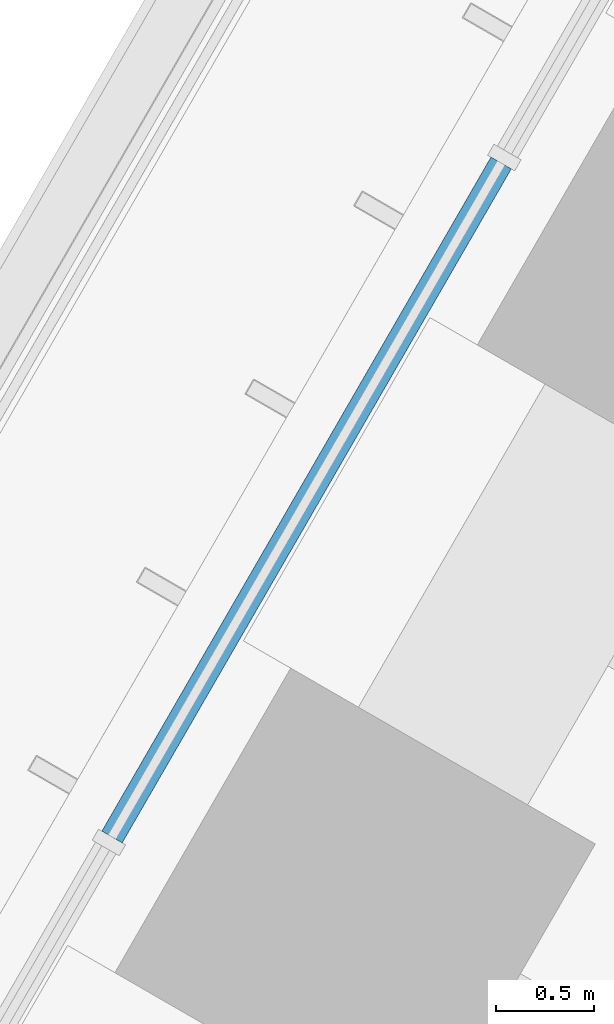
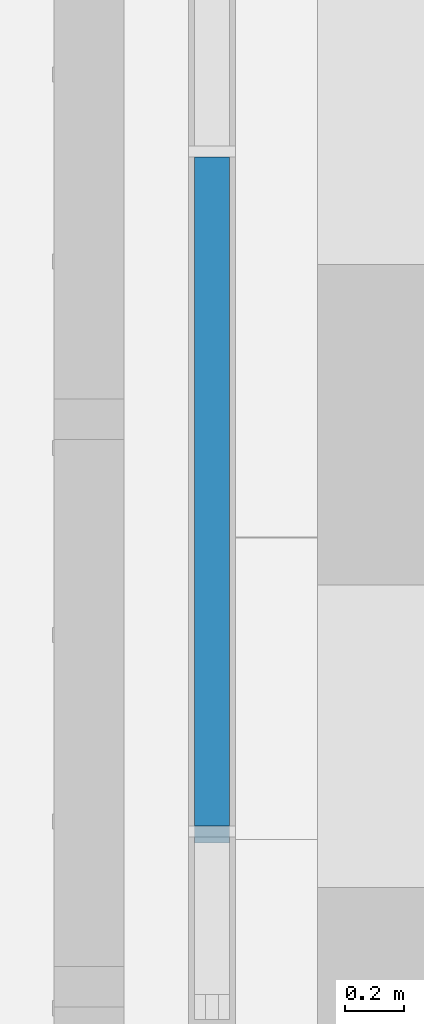
# One storey, part 141 of 228: 1 member, 1 element without a shape of its own.
"""IFC4 building model written with IfcOpenShell, lengths in metres."""

from ifc_helpers import new_model, si_unit, direction, frame, origin, origin_2d, place, context, subcontext, project, spatial, rectangle, extrude, material, material_profile, profile_set, type_object, element, aggregate, save


model = new_model("IFC4")

# Units and contexts
model_context = context("Model", 3, precision=1e-05, world=origin(), true_north=direction((0.0, 1.0)))
body_context = subcontext(model_context, "Body", "Model", "MODEL_VIEW")
ifc_project = project(units=[si_unit("LENGTHUNIT", "METRE"), si_unit("AREAUNIT", "SQUARE_METRE"), si_unit("VOLUMEUNIT", "CUBIC_METRE"), si_unit("PLANEANGLEUNIT", "RADIAN"), si_unit("MASSUNIT", "GRAM", prefix="KILO")], contexts=[model_context])

# Site, building, storey
site_placement = place(None, origin())
site = spatial("IfcSite", under=ifc_project, at=site_placement, CompositionType="ELEMENT")
building_placement = place(site_placement, origin())
building = spatial("IfcBuilding", under=site, at=building_placement, Name="Sandreach Pilgrim Tower", CompositionType="ELEMENT")
storey_placement = place(building_placement, frame((0.0, 0.0, 178.199951171875)))
storey = spatial("IfcBuildingStorey", under=building, at=storey_placement, Name="L44", CompositionType="ELEMENT", Elevation=178.199951171875)

# Curtain wall, member
ifc_material_1 = material(Name="Aluminium framed curtain wall", Category="aluminium")
curtain_wall_type = type_object("IfcCurtainWallType", Name="Upper hotel tower curtain wall", PredefinedType="NOTDEFINED", material=ifc_material_1)
curtain_wall_placement = place(storey_placement, origin())
curtain_wall = element("IfcCurtainWall", 1, at=curtain_wall_placement, inside=storey, type_object=curtain_wall_type, Name="CW-3 L44 NW", PredefinedType="NOTDEFINED")
ifc_material_2 = material(Name="Aluminium extrusion", Category="aluminium")
ifc_material_profile = material_profile(ifc_material_2, rectangle(XDim=0.1201171875, YDim=0.070068359375, at=origin_2d()), Name="CW-3T 120X70")
ifc_profile_set = profile_set([ifc_material_profile], Name="Aluminium extrusion")
member_type = type_object("IfcMemberType", Name="CW-3 transom", PredefinedType="USERDEFINED", material=ifc_profile_set)
member_placement = place(storey_placement, frame((-24.9794921875, 9.784423828125, 4.804931640625), z_axis=(0.499975332564, 0.866039645067, 0.0), x_axis=(-0.866039645067, 0.499975332564, 0.0)))
member = element("IfcMember", 2, at=member_placement, type_object=member_type, Name="CW-3 head transom 2", ObjectType="TRANSOM", PredefinedType="USERDEFINED", context=body_context, shape_type="SweptSolid", body=[
    extrude(rectangle(XDim=0.1201171875, YDim=0.070068359375, at=origin_2d()), origin(), (0.0, 0.0, 1.0), 3.983642578125),
])
aggregate(curtain_wall, [member])

save(model, "model.ifc")
